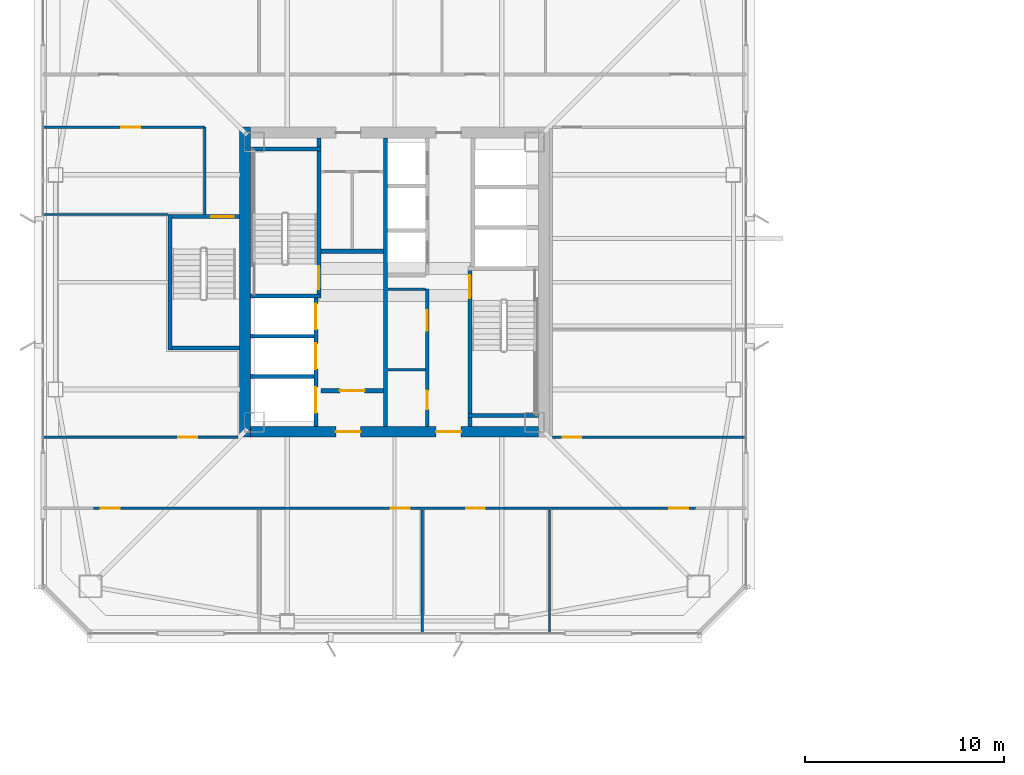
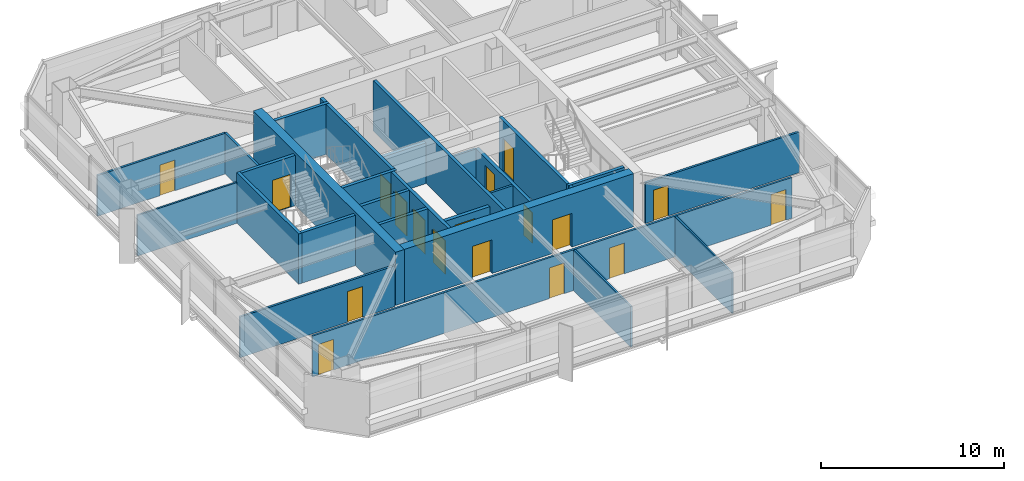
# One storey, part 36 of 46: 27 walls, 18 doors, 18 openings.
"""IFC4 building model written with IfcOpenShell, lengths in metres."""

import ifcopenshell
import ifcopenshell.guid

model = None  # the IFC model being written
_history = None  # IfcOwnerHistory: only IFC2X3 demands one
_inside = {}  # id of a spatial element -> (the spatial element, [elements in it])
_under = {}  # id of a project, library or spatial element -> (it, [spatial elements below it])
_declared = {}  # id of a project -> (the project, [libraries it declares])
_typed = {}  # id of a type object -> (the type object, [elements of that type])
_made_of = {}  # id of a material, layer set ... -> (it, [elements and type objects made of it])


def new_model(schema):
    """Start an empty IFC model of exactly this schema.

    Asked for "IFC4X3", IfcOpenShell would pick the latest addendum, in which some entities
    have other attributes; the version numbers below select the first issue.
    IFC2X3 requires an IfcOwnerHistory on every rooted entity: one is made here for all.
    """
    global model, _history
    if schema == "IFC4X3":
        model = ifcopenshell.file(schema_version=(4, 3, 0, 0))
    else:
        model = ifcopenshell.file(schema=schema)
    _inside.clear()
    _under.clear()
    _declared.clear()
    _typed.clear()
    _made_of.clear()
    _history = None
    if model.schema == "IFC2X3":
        org = make("IfcOrganization", Name="unknown")
        user = make(
            "IfcPersonAndOrganization",
            ThePerson=make("IfcPerson", FamilyName="unknown"),
            TheOrganization=org,
        )
        app = make(
            "IfcApplication",
            ApplicationDeveloper=org,
            Version="unknown",
            ApplicationFullName="unknown",
            ApplicationIdentifier="unknown",
        )
        _history = make(
            "IfcOwnerHistory",
            OwningUser=user,
            OwningApplication=app,
            ChangeAction="ADDED",
            CreationDate=0,
        )
    return model


def make(cls, **values):
    """One entity of the class cls with the attributes given. An attribute that is None is left unset."""
    return model.create_entity(
        cls, **{name: value for name, value in values.items() if value is not None}
    )


def rooted(cls, **values):
    """An entity with a GlobalId (a new one), such as an element, a storey or a relation."""
    return make(cls, GlobalId=ifcopenshell.guid.new(), OwnerHistory=_history, **values)


def si_unit(unit_type, name, prefix=None):
    """IfcSIUnit, for example si_unit("LENGTHUNIT", "METRE", prefix="MILLI")."""
    return make("IfcSIUnit", UnitType=unit_type, Prefix=prefix, Name=name)


def assignment(units):
    """IfcUnitAssignment: the units of a project."""
    return None if units is None else make("IfcUnitAssignment", Units=units)


def point(xyz):
    """IfcCartesianPoint."""
    return None if xyz is None else make("IfcCartesianPoint", Coordinates=xyz)


def direction(xyz):
    """IfcDirection."""
    return None if xyz is None else make("IfcDirection", DirectionRatios=xyz)


def frame(location, z_axis=None, x_axis=None):
    """IfcAxis2Placement3D, a coordinate frame: its origin and axes. An axis left out is left unset."""
    return make(
        "IfcAxis2Placement3D",
        Location=point(location),
        Axis=direction(z_axis),
        RefDirection=direction(x_axis),
    )


def frame_2d(location, x_axis=None):
    """IfcAxis2Placement2D, a coordinate frame in the plane: its origin and x axis."""
    return make(
        "IfcAxis2Placement2D", Location=point(location), RefDirection=direction(x_axis)
    )


def origin():
    """The frame at (0, 0, 0) with its axes left unset."""
    return frame((0.0, 0.0, 0.0))


def place(relative_to, where):
    """IfcLocalPlacement: puts the frame where relative to a parent placement (None: the world)."""
    return make(
        "IfcLocalPlacement", PlacementRelTo=relative_to, RelativePlacement=where
    )


def context(
    kind, dimensions, precision=None, world=None, true_north=None, identifier=None
):
    """IfcGeometricRepresentationContext, for example the 3D "Model" context."""
    return make(
        "IfcGeometricRepresentationContext",
        ContextIdentifier=identifier,
        ContextType=kind,
        CoordinateSpaceDimension=dimensions,
        Precision=precision,
        WorldCoordinateSystem=world,
        TrueNorth=true_north,
    )


def subcontext(parent, identifier, kind, view, scale=None):
    """IfcGeometricRepresentationSubContext, for example "Body" below "Model"."""
    return make(
        "IfcGeometricRepresentationSubContext",
        ContextIdentifier=identifier,
        ContextType=kind,
        ParentContext=parent,
        TargetScale=scale,
        TargetView=view,
    )


def project(units=None, contexts=None):
    """IfcProject with its units and contexts."""
    return rooted(
        "IfcProject",
        Name="project",
        RepresentationContexts=contexts,
        UnitsInContext=assignment(units),
    )


def spatial(cls, under=None, at=None, **own):
    """A site, building, storey or space (cls), placed at a placement, below another one or the project."""
    s = rooted(cls, ObjectPlacement=at, **own)
    if under is not None:
        _under.setdefault(under.id(), (under, []))[1].append(s)
    return s


def profile(cls, at=None, kind="AREA", **sizes):
    """A parametric profile (cls). Its sizes go by their IFC names, for example OverallWidth=200.0."""
    return make(cls, ProfileType=kind, Position=at, **sizes)


def rectangle(**sizes):
    """IfcRectangleProfileDef."""
    return profile("IfcRectangleProfileDef", **sizes)


def extrude(swept, where, along, depth):
    """IfcExtrudedAreaSolid: the profile swept, set in the frame where, extruded along a direction by depth."""
    return make(
        "IfcExtrudedAreaSolid",
        SweptArea=swept,
        Position=where,
        ExtrudedDirection=direction(along),
        Depth=depth,
    )


def shape(context_of_items, identifier, shape_type, items):
    """IfcShapeRepresentation: the items that make up one representation, for example the "Body"."""
    return make(
        "IfcShapeRepresentation",
        ContextOfItems=context_of_items,
        RepresentationIdentifier=identifier,
        RepresentationType=shape_type,
        Items=items,
    )


def material(Name=None, Category=None):
    """IfcMaterial."""
    return make("IfcMaterial", Name=Name, Category=Category)


def layer(
    of_material, thickness, ventilated=None, Name=None, Category=None, Priority=None
):
    """IfcMaterialLayer: one layer of a wall or slab, of a material (None: an air gap)."""
    return make(
        "IfcMaterialLayer",
        Material=of_material,
        LayerThickness=thickness,
        IsVentilated=ventilated,
        Name=Name,
        Category=Category,
        Priority=Priority,
    )


def layer_set(layers, Name=None):
    """IfcMaterialLayerSet."""
    return make("IfcMaterialLayerSet", MaterialLayers=layers, LayerSetName=Name)


def made_of(thing, what):
    """Note that an element or type object is made of a material, layer set ...; save() writes the relation."""
    if what is not None:
        _made_of.setdefault(what.id(), (what, []))[1].append(thing)
    return thing


def type_object(cls, material=None, **own):
    """A type object (cls), such as IfcWallType, which elements share."""
    return made_of(rooted(cls, **own), material)


def element(
    cls,
    number,
    at=None,
    inside=None,
    cuts=None,
    type_object=None,
    material=None,
    context=None,
    identifier="Body",
    shape_type=None,
    held_by="IfcProductDefinitionShape",
    body=None,
    shapes=None,
    **own,
):
    """One element of the class cls, such as IfcWall. Its Tag is "e" and its number.

    at: its placement. inside: the storey or other place that contains it. cuts: it is an
    opening in that element (IfcRelVoidsElement). A single representation is given by context,
    identifier, shape_type and body (its items); several are given by shapes. held_by: the class
    of the entity that holds the representations. save() writes the other relations.
    """
    e = rooted(cls, Tag="e%d" % number, ObjectPlacement=at, **own)
    if body is not None:
        shapes = [shape(context, identifier, shape_type, body)]
    if shapes is not None:
        e.Representation = make(held_by, Representations=shapes)
    if inside is not None:
        _inside.setdefault(inside.id(), (inside, []))[1].append(e)
    if cuts is not None:
        rooted(
            "IfcRelVoidsElement", RelatingBuildingElement=cuts, RelatedOpeningElement=e
        )
    if type_object is not None:
        _typed.setdefault(type_object.id(), (type_object, []))[1].append(e)
    return made_of(e, material)


def fill(opening, filler):
    """IfcRelFillsElement: the door or window that sits in an opening."""
    return rooted(
        "IfcRelFillsElement",
        RelatingOpeningElement=opening,
        RelatedBuildingElement=filler,
    )


def aggregate(whole, parts):
    """IfcRelAggregates: a whole, such as a stair, and the parts it consists of."""
    return rooted("IfcRelAggregates", RelatingObject=whole, RelatedObjects=parts)


def save(model, path):
    """Write the relations noted so far, then the file.

    IfcRelAggregates (storeys below a building ...), IfcRelContainedInSpatialStructure (elements
    in a storey), IfcRelDefinesByType, IfcRelAssociatesMaterial and IfcRelDeclares: one each for
    every whole, place, type object, material and project.
    """
    for whole, parts in _under.values():
        aggregate(whole, parts)
    for where, things in _inside.values():
        rooted(
            "IfcRelContainedInSpatialStructure",
            RelatedElements=things,
            RelatingStructure=where,
        )
    for kind, things in _typed.values():
        rooted("IfcRelDefinesByType", RelatedObjects=things, RelatingType=kind)
    for what, things in _made_of.values():
        rooted("IfcRelAssociatesMaterial", RelatedObjects=things, RelatingMaterial=what)
    for by, libraries in _declared.values():
        rooted("IfcRelDeclares", RelatingContext=by, RelatedDefinitions=libraries)
    model.write(path)


model = new_model("IFC4")

# Units and contexts
model_context = context("Model", 3, precision=1e-05, world=origin(), true_north=direction((0.0, 1.0)))
body_context = subcontext(model_context, "Body", "Model", "MODEL_VIEW")
ifc_project = project(units=[si_unit("LENGTHUNIT", "METRE"), si_unit("AREAUNIT", "SQUARE_METRE"), si_unit("VOLUMEUNIT", "CUBIC_METRE"), si_unit("PLANEANGLEUNIT", "RADIAN"), si_unit("MASSUNIT", "GRAM", prefix="KILO")], contexts=[model_context])

# Site, building, storey
site_placement = place(None, origin())
site = spatial("IfcSite", under=ifc_project, at=site_placement, CompositionType="ELEMENT")
building_placement = place(site_placement, origin())
building = spatial("IfcBuilding", under=site, at=building_placement, Name="Tashvorn Skyway Center", CompositionType="ELEMENT")
storey_placement = place(building_placement, frame((0.0, 0.0, 167.64990234375)))
storey = spatial("IfcBuildingStorey", under=building, at=storey_placement, Name="L45", CompositionType="ELEMENT", Elevation=167.64990234375)

# Wall
ifc_material_1 = material(Name="Concrete C60/75", Category="concrete")
ifc_layer_1 = layer(ifc_material_1, 0.550048828125)
ifc_layer_set_1 = layer_set([ifc_layer_1], Name="Concrete C60/75")
wall_type_1 = type_object("IfcWallType", Name="WALL-CORE-550", PredefinedType="SHEAR", material=ifc_layer_set_1)
wall_1_placement = place(storey_placement, frame((34.47509765625, 24.199951171875, 0.0), z_axis=(0.0, 0.0, 1.0), x_axis=(0.0, 1.0, 0.0)))
element("IfcWall", 1, at=wall_1_placement, inside=storey, type_object=wall_type_1, Name="Tower 1 L45 West Core Shear Wall", PredefinedType="SHEAR", context=body_context, shape_type="SweptSolid", body=[
    extrude(rectangle(XDim=15.60009765625, YDim=0.550048828125, at=frame_2d((7.800048828125, 0.0))), origin(), (0.0, 0.0, 1.0), 3.550048828125),
])

# Wall, openings, doors
wall_2_placement = place(storey_placement, frame((49.25, 24.47509765625, 0.0), z_axis=(0.0, 0.0, 1.0), x_axis=(-1.0, 0.0, 0.0)))
wall_2 = element("IfcWall", 2, at=wall_2_placement, inside=storey, type_object=wall_type_1, Name="Tower 1 L45 South Core Shear Wall", PredefinedType="SHEAR", context=body_context, shape_type="SweptSolid", body=[
    extrude(rectangle(XDim=14.5, YDim=0.550048828125, at=frame_2d((7.25, 0.0))), origin(), (0.0, 0.0, 1.0), 3.550048828125),
])
opening_1_placement = place(wall_2_placement, frame((8.949951171875, 0.0, 0.0)))
opening_1 = element("IfcOpeningElement", 3, at=opening_1_placement, cuts=wall_2, Name="Opening D-FFL-1250", PredefinedType="OPENING", context=body_context, shape_type="SweptSolid", body=[
    extrude(rectangle(XDim=1.25, YDim=2.25, at=frame_2d((0.625, 1.125))), frame((0.0, 0.284912109375, 0.0), z_axis=(0.0, -1.0, 0.0), x_axis=(1.0, 0.0, 0.0)), (0.0, 0.0, 1.0), 0.570068359375),
])
opening_2_placement = place(wall_2_placement, frame((3.89990234375, 0.0, 0.0)))
opening_2 = element("IfcOpeningElement", 4, at=opening_2_placement, cuts=wall_2, Name="Opening D-FFL-1250", PredefinedType="OPENING", context=body_context, shape_type="SweptSolid", body=[
    extrude(rectangle(XDim=1.25, YDim=2.25, at=frame_2d((0.625, 1.125))), frame((0.0, 0.284912109375, 0.0), z_axis=(0.0, -1.0, 0.0), x_axis=(1.0, 0.0, 0.0)), (0.0, 0.0, 1.0), 0.570068359375),
])
ifc_material_2 = material(Name="Hollow galvanized steel fire door assembly", Category="steel")
door_type_1 = type_object("IfcDoorType", Name="DOOR-FFL-1250", OperationType="NOTDEFINED", PredefinedType="DOOR", material=ifc_material_2)
door_1_placement = place(opening_1_placement, origin())
door_1 = element("IfcDoor", 5, at=door_1_placement, inside=storey, type_object=door_type_1, Name="Tower 1 L45 Core South Firefighting Exit Door", OperationType="SINGLE_SWING_LEFT", OverallHeight=2.25, OverallWidth=1.25, PredefinedType="DOOR", context=body_context, shape_type="SweptSolid", body=[
    extrude(rectangle(XDim=1.25, YDim=2.25, at=frame_2d((0.625, 1.125))), frame((0.0, 0.02490234375, 0.0), z_axis=(0.0, -1.0, 0.0), x_axis=(1.0, 0.0, 0.0)), (0.0, 0.0, 1.0), 0.050048828125),
])
fill(opening_1, door_1)
door_2_placement = place(opening_2_placement, origin())
door_2 = element("IfcDoor", 6, at=door_2_placement, inside=storey, type_object=door_type_1, Name="Tower 1 L45 Core South Lift Lobby Door", OperationType="SINGLE_SWING_RIGHT", OverallHeight=2.25, OverallWidth=1.25, PredefinedType="DOOR", context=body_context, shape_type="SweptSolid", body=[
    extrude(rectangle(XDim=1.25, YDim=2.25, at=frame_2d((0.625, 1.125))), frame((0.0, 0.02490234375, 0.0), z_axis=(0.0, -1.0, 0.0), x_axis=(1.0, 0.0, 0.0)), (0.0, 0.0, 1.0), 0.050048828125),
])
fill(opening_2, door_2)

# Wall
ifc_material_3 = material(Name="Concrete C40/50", Category="concrete")
ifc_layer_2 = layer(ifc_material_3, 0.219970703125)
ifc_layer_set_2 = layer_set([ifc_layer_2], Name="Concrete C40/50")
wall_type_2 = type_object("IfcWallType", Name="WALL-FFL-220", PredefinedType="SOLIDWALL", material=ifc_layer_set_2)
wall_3_placement = place(storey_placement, frame((38.300048828125, 33.56005859375, 0.0), z_axis=(0.0, 0.0, 1.0), x_axis=(1.0, 0.0, 0.0)))
element("IfcWall", 7, at=wall_3_placement, inside=storey, type_object=wall_type_2, Name="Tower 1 L45 Firefighting Lobby North Wall", PredefinedType="SOLIDWALL", context=body_context, shape_type="SweptSolid", body=[
    extrude(rectangle(XDim=3.14990234375, YDim=0.219970703125, at=frame_2d((1.574951171875, 0.0))), origin(), (0.0, 0.0, 1.0), 2.72314453125),
])

# Wall, opening, door
wall_4_placement = place(storey_placement, frame((38.300048828125, 26.5400390625, 0.0), z_axis=(0.0, 0.0, 1.0), x_axis=(1.0, 0.0, 0.0)))
wall_4 = element("IfcWall", 8, at=wall_4_placement, inside=storey, type_object=wall_type_2, Name="Tower 1 L45 Firefighting Lobby South Wall", PredefinedType="SOLIDWALL", context=body_context, shape_type="SweptSolid", body=[
    extrude(rectangle(XDim=3.14990234375, YDim=0.219970703125, at=frame_2d((1.574951171875, 0.0))), origin(), (0.0, 0.0, 1.0), 2.72314453125),
])
opening_3_placement = place(wall_4_placement, frame((0.949951171875, 0.0, 0.0)))
opening_3 = element("IfcOpeningElement", 9, at=opening_3_placement, cuts=wall_4, Name="Opening D-FFL-1250", PredefinedType="OPENING", context=body_context, shape_type="SweptSolid", body=[
    extrude(rectangle(XDim=1.25, YDim=2.25, at=frame_2d((0.625, 1.125))), frame((0.0, 0.119873046875, 0.0), z_axis=(0.0, -1.0, 0.0), x_axis=(1.0, 0.0, 0.0)), (0.0, 0.0, 1.0), 0.239990234375),
])
door_3_placement = place(opening_3_placement, origin())
door_3 = element("IfcDoor", 10, at=door_3_placement, inside=storey, type_object=door_type_1, Name="Tower 1 L45 Firefighting Lobby Egress Door", OperationType="SINGLE_SWING_LEFT", OverallHeight=2.25, OverallWidth=1.25, PredefinedType="DOOR", context=body_context, shape_type="SweptSolid", body=[
    extrude(rectangle(XDim=1.25, YDim=2.25, at=frame_2d((0.625, 1.125))), frame((0.0, 0.02490234375, 0.0), z_axis=(0.0, -1.0, 0.0), x_axis=(1.0, 0.0, 0.0)), (0.0, 0.0, 1.0), 0.050048828125),
])
fill(opening_3, door_3)

# Walls
ifc_material_4 = material(Name="Gypsum board on cold-formed steel stud framing", Category="steel")
ifc_layer_3 = layer(ifc_material_4, 0.110107421875)
ifc_layer_set_3 = layer_set([ifc_layer_3], Name="Gypsum board on cold-formed steel stud framing")
wall_type_3 = type_object("IfcWallType", Name="WALL-PART-110", PredefinedType="PARTITIONING", material=ifc_layer_set_3)
for number, where, z_axis, x_axis, name in (
    (11, (43.39990234375, 14.320068359375, 0.0), (0.0, 0.0, 1.0), (0.0, 1.0, 0.0), "Tower 1 L45 South Suite Partition 2"),
    (12, (49.800048828125, 14.320068359375, 0.0), (0.0, 0.0, 1.0), (0.0, 1.0, 0.0), "Tower 1 L45 South Suite Partition 3"),
):
    element("IfcWall", number, at=place(storey_placement, frame(where, z_axis=z_axis, x_axis=x_axis)), inside=storey, type_object=wall_type_3, Name=name, PredefinedType="PARTITIONING", context=body_context, shape_type="SweptSolid", body=[
        extrude(rectangle(XDim=6.22998046875, YDim=0.110107421875, at=frame_2d((3.114990234375, 0.0))), origin(), (0.0, 0.0, 1.0), 2.72314453125),
    ])
wall_5_placement = place(storey_placement, frame((30.60009765625, 35.39990234375, 0.0), z_axis=(0.0, 0.0, 1.0), x_axis=(-1.0, 0.0, 0.0)))
element("IfcWall", 13, at=wall_5_placement, inside=storey, type_object=wall_type_3, Name="Tower 1 L45 West Suite Partition 1", PredefinedType="PARTITIONING", context=body_context, shape_type="SweptSolid", body=[
    extrude(rectangle(XDim=6.280029296875, YDim=0.110107421875, at=frame_2d((3.14013671875, 0.0))), origin(), (0.0, 0.0, 1.0), 2.72314453125),
])
ifc_layer_4 = layer(ifc_material_4, 0.135009765625)
ifc_layer_set_4 = layer_set([ifc_layer_4], Name="Gypsum board on cold-formed steel stud framing")
wall_type_4 = type_object("IfcWallType", Name="WALL-PART-135", PredefinedType="PARTITIONING", material=ifc_layer_set_4)
wall_6_placement = place(storey_placement, frame((32.449951171875, 35.39990234375, 0.0), z_axis=(0.0, 0.0, 1.0), x_axis=(0.0, 1.0, 0.0)))
element("IfcWall", 14, at=wall_6_placement, inside=storey, type_object=wall_type_4, Name="Tower 1 L45 Stair 3 Access Corridor Wall", PredefinedType="PARTITIONING", context=body_context, shape_type="SweptSolid", body=[
    extrude(rectangle(XDim=4.400146484375, YDim=0.135009765625, at=frame_2d((2.2001953125, 0.0))), origin(), (0.0, 0.0, 1.0), 2.72314453125),
])

# Wall, openings, doors
wall_7_placement = place(storey_placement, frame((57.14990234375, 20.6298828125, 0.0), z_axis=(0.0, 0.0, 1.0), x_axis=(-1.0, 0.0, 0.0)))
wall_7 = element("IfcWall", 15, at=wall_7_placement, inside=storey, type_object=wall_type_4, Name="Tower 1 L45 South Suite Wall", PredefinedType="PARTITIONING", context=body_context, shape_type="SweptSolid", body=[
    extrude(rectangle(XDim=30.2998046875, YDim=0.135009765625, at=frame_2d((15.14990234375, 0.0))), origin(), (0.0, 0.0, 1.0), 2.72314453125),
])
opening_4_placement = place(wall_7_placement, frame((28.969970703125, 0.0, 0.0)))
opening_4 = element("IfcOpeningElement", 16, at=opening_4_placement, cuts=wall_7, Name="Opening D-INT-950", PredefinedType="OPENING", context=body_context, shape_type="SweptSolid", body=[
    extrude(rectangle(XDim=0.949951171875, YDim=2.050048828125, at=frame_2d((0.47509765625, 1.02490234375))), frame((0.0, 0.077392578125, 0.0), z_axis=(0.0, -1.0, 0.0), x_axis=(1.0, 0.0, 0.0)), (0.0, 0.0, 1.0), 0.155029296875),
])
opening_5_placement = place(wall_7_placement, frame((14.3896484375, 0.0, 0.0)))
opening_5 = element("IfcOpeningElement", 17, at=opening_5_placement, cuts=wall_7, Name="Opening D-INT-950", PredefinedType="OPENING", context=body_context, shape_type="SweptSolid", body=[
    extrude(rectangle(XDim=0.949951171875, YDim=2.050048828125, at=frame_2d((0.47509765625, 1.02490234375))), frame((0.0, 0.077392578125, 0.0), z_axis=(0.0, -1.0, 0.0), x_axis=(1.0, 0.0, 0.0)), (0.0, 0.0, 1.0), 0.155029296875),
])
opening_6_placement = place(wall_7_placement, frame((10.59619140625, 0.0, 0.0)))
opening_6 = element("IfcOpeningElement", 18, at=opening_6_placement, cuts=wall_7, Name="Opening D-INT-950", PredefinedType="OPENING", context=body_context, shape_type="SweptSolid", body=[
    extrude(rectangle(XDim=0.949951171875, YDim=2.050048828125, at=frame_2d((0.47509765625, 1.02490234375))), frame((0.0, 0.077392578125, 0.0), z_axis=(0.0, -1.0, 0.0), x_axis=(1.0, 0.0, 0.0)), (0.0, 0.0, 1.0), 0.155029296875),
])
opening_7_placement = place(wall_7_placement, frame((0.3798828125, 0.0, 0.0)))
opening_7 = element("IfcOpeningElement", 19, at=opening_7_placement, cuts=wall_7, Name="Opening D-INT-950", PredefinedType="OPENING", context=body_context, shape_type="SweptSolid", body=[
    extrude(rectangle(XDim=0.949951171875, YDim=2.050048828125, at=frame_2d((0.47509765625, 1.02490234375))), frame((0.0, 0.077392578125, 0.0), z_axis=(0.0, -1.0, 0.0), x_axis=(1.0, 0.0, 0.0)), (0.0, 0.0, 1.0), 0.155029296875),
])
ifc_material_5 = material(Name="Solid-core architectural oak veneer door")
door_type_2 = type_object("IfcDoorType", Name="DOOR-INT-950", OperationType="NOTDEFINED", PredefinedType="DOOR", material=ifc_material_5)
door_4_placement = place(opening_4_placement, origin())
door_4 = element("IfcDoor", 20, at=door_4_placement, inside=storey, type_object=door_type_2, Name="Tower 1 L45 Gallery Showroom Door", OperationType="SINGLE_SWING_RIGHT", OverallHeight=2.050048828125, OverallWidth=0.949951171875, PredefinedType="DOOR", context=body_context, shape_type="SweptSolid", body=[
    extrude(rectangle(XDim=0.949951171875, YDim=2.050048828125, at=frame_2d((0.47509765625, 1.02490234375))), frame((0.0, 0.02490234375, 0.0), z_axis=(0.0, -1.0, 0.0), x_axis=(1.0, 0.0, 0.0)), (0.0, 0.0, 1.0), 0.050048828125),
])
fill(opening_4, door_4)
door_5_placement = place(opening_5_placement, origin())
door_5 = element("IfcDoor", 21, at=door_5_placement, inside=storey, type_object=door_type_2, Name="Tower 1 L45 Reading Lounge Door", OperationType="SINGLE_SWING_LEFT", OverallHeight=2.050048828125, OverallWidth=0.949951171875, PredefinedType="DOOR", context=body_context, shape_type="SweptSolid", body=[
    extrude(rectangle(XDim=0.949951171875, YDim=2.050048828125, at=frame_2d((0.47509765625, 1.02490234375))), frame((0.0, 0.02490234375, 0.0), z_axis=(0.0, -1.0, 0.0), x_axis=(1.0, 0.0, 0.0)), (0.0, 0.0, 1.0), 0.050048828125),
])
fill(opening_5, door_5)
door_6_placement = place(opening_6_placement, origin())
door_6 = element("IfcDoor", 22, at=door_6_placement, inside=storey, type_object=door_type_2, Name="Tower 1 L45 Reading Lounge Door", OperationType="SINGLE_SWING_RIGHT", OverallHeight=2.050048828125, OverallWidth=0.949951171875, PredefinedType="DOOR", context=body_context, shape_type="SweptSolid", body=[
    extrude(rectangle(XDim=0.949951171875, YDim=2.050048828125, at=frame_2d((0.47509765625, 1.02490234375))), frame((0.0, 0.02490234375, 0.0), z_axis=(0.0, -1.0, 0.0), x_axis=(1.0, 0.0, 0.0)), (0.0, 0.0, 1.0), 0.050048828125),
])
fill(opening_6, door_6)
door_7_placement = place(opening_7_placement, origin())
door_7 = element("IfcDoor", 23, at=door_7_placement, inside=storey, type_object=door_type_2, Name="Tower 1 L45 Collaborative Studio Door", OperationType="SINGLE_SWING_LEFT", OverallHeight=2.050048828125, OverallWidth=0.949951171875, PredefinedType="DOOR", context=body_context, shape_type="SweptSolid", body=[
    extrude(rectangle(XDim=0.949951171875, YDim=2.050048828125, at=frame_2d((0.47509765625, 1.02490234375))), frame((0.0, 0.02490234375, 0.0), z_axis=(0.0, -1.0, 0.0), x_axis=(1.0, 0.0, 0.0)), (0.0, 0.0, 1.0), 0.050048828125),
])
fill(opening_7, door_7)

# Wall, opening, door
wall_8_placement = place(storey_placement, frame((49.9599609375, 24.199951171875, 0.0), z_axis=(0.0, 0.0, 1.0), x_axis=(1.0, 0.0, 0.0)))
wall_8 = element("IfcWall", 24, at=wall_8_placement, inside=storey, type_object=wall_type_4, Name="Tower 1 L45 East Suite South Wall", PredefinedType="PARTITIONING", context=body_context, shape_type="SweptSolid", body=[
    extrude(rectangle(XDim=9.719970703125, YDim=0.135009765625, at=frame_2d((4.85986328125, 0.0))), origin(), (0.0, 0.0, 1.0), 2.72314453125),
])
opening_8_placement = place(wall_8_placement, frame((0.5, 0.0, 0.0)))
opening_8 = element("IfcOpeningElement", 25, at=opening_8_placement, cuts=wall_8, Name="Opening D-INT-950", PredefinedType="OPENING", context=body_context, shape_type="SweptSolid", body=[
    extrude(rectangle(XDim=0.949951171875, YDim=2.050048828125, at=frame_2d((0.47509765625, 1.02490234375))), frame((0.0, 0.077392578125, 0.0), z_axis=(0.0, -1.0, 0.0), x_axis=(1.0, 0.0, 0.0)), (0.0, 0.0, 1.0), 0.155029296875),
])
door_8_placement = place(opening_8_placement, origin())
door_8 = element("IfcDoor", 26, at=door_8_placement, inside=storey, type_object=door_type_2, Name="Tower 1 L45 Public Restroom Door", OperationType="SINGLE_SWING_LEFT", OverallHeight=2.050048828125, OverallWidth=0.949951171875, PredefinedType="DOOR", context=body_context, shape_type="SweptSolid", body=[
    extrude(rectangle(XDim=0.949951171875, YDim=2.050048828125, at=frame_2d((0.47509765625, 1.02490234375))), frame((0.0, 0.02490234375, 0.0), z_axis=(0.0, -1.0, 0.0), x_axis=(1.0, 0.0, 0.0)), (0.0, 0.0, 1.0), 0.050048828125),
])
fill(opening_8, door_8)

wall_9_placement = place(storey_placement, frame((32.449951171875, 39.800048828125, 0.0), z_axis=(0.0, 0.0, 1.0), x_axis=(-1.0, 0.0, 0.0)))
wall_9 = element("IfcWall", 27, at=wall_9_placement, inside=storey, type_object=wall_type_4, Name="Tower 1 L45 West Suite North Wall", PredefinedType="PARTITIONING", context=body_context, shape_type="SweptSolid", body=[
    extrude(rectangle(XDim=8.1298828125, YDim=0.135009765625, at=frame_2d((4.06494140625, 0.0))), origin(), (0.0, 0.0, 1.0), 2.72314453125),
])
opening_9_placement = place(wall_9_placement, frame((3.239990234375, 0.0, 0.0)))
opening_9 = element("IfcOpeningElement", 28, at=opening_9_placement, cuts=wall_9, Name="Opening D-INT-950", PredefinedType="OPENING", context=body_context, shape_type="SweptSolid", body=[
    extrude(rectangle(XDim=0.949951171875, YDim=2.050048828125, at=frame_2d((0.47509765625, 1.02490234375))), frame((0.0, 0.077392578125, 0.0), z_axis=(0.0, -1.0, 0.0), x_axis=(1.0, 0.0, 0.0)), (0.0, 0.0, 1.0), 0.155029296875),
])
door_9_placement = place(opening_9_placement, origin())
door_9 = element("IfcDoor", 29, at=door_9_placement, inside=storey, type_object=door_type_2, Name="Tower 1 L45 Collaborative Studio Door", OperationType="SINGLE_SWING_RIGHT", OverallHeight=2.050048828125, OverallWidth=0.949951171875, PredefinedType="DOOR", context=body_context, shape_type="SweptSolid", body=[
    extrude(rectangle(XDim=0.949951171875, YDim=2.050048828125, at=frame_2d((0.47509765625, 1.02490234375))), frame((0.0, 0.02490234375, 0.0), z_axis=(0.0, -1.0, 0.0), x_axis=(1.0, 0.0, 0.0)), (0.0, 0.0, 1.0), 0.050048828125),
])
fill(opening_9, door_9)

wall_10_placement = place(storey_placement, frame((24.320068359375, 24.199951171875, 0.0), z_axis=(0.0, 0.0, 1.0), x_axis=(1.0, 0.0, 0.0)))
wall_10 = element("IfcWall", 30, at=wall_10_placement, inside=storey, type_object=wall_type_4, Name="Tower 1 L45 West Suite South Wall", PredefinedType="PARTITIONING", context=body_context, shape_type="SweptSolid", body=[
    extrude(rectangle(XDim=9.800048828125, YDim=0.135009765625, at=frame_2d((4.89990234375, 0.0))), origin(), (0.0, 0.0, 1.0), 2.72314453125),
])
opening_10_placement = place(wall_10_placement, frame((6.804931640625, 0.0, 0.0)))
opening_10 = element("IfcOpeningElement", 31, at=opening_10_placement, cuts=wall_10, Name="Opening D-INT-950", PredefinedType="OPENING", context=body_context, shape_type="SweptSolid", body=[
    extrude(rectangle(XDim=0.949951171875, YDim=2.050048828125, at=frame_2d((0.47509765625, 1.02490234375))), frame((0.0, 0.077392578125, 0.0), z_axis=(0.0, -1.0, 0.0), x_axis=(1.0, 0.0, 0.0)), (0.0, 0.0, 1.0), 0.155029296875),
])
door_10_placement = place(opening_10_placement, origin())
door_10 = element("IfcDoor", 32, at=door_10_placement, inside=storey, type_object=door_type_2, Name="Tower 1 L45 Public Restroom Door", OperationType="SINGLE_SWING_LEFT", OverallHeight=2.050048828125, OverallWidth=0.949951171875, PredefinedType="DOOR", context=body_context, shape_type="SweptSolid", body=[
    extrude(rectangle(XDim=0.949951171875, YDim=2.050048828125, at=frame_2d((0.47509765625, 1.02490234375))), frame((0.0, 0.02490234375, 0.0), z_axis=(0.0, -1.0, 0.0), x_axis=(1.0, 0.0, 0.0)), (0.0, 0.0, 1.0), 0.050048828125),
])
fill(opening_10, door_10)

# Walls
ifc_layer_5 = layer(ifc_material_4, 0.135009765625)
ifc_layer_set_5 = layer_set([ifc_layer_5], Name="Gypsum board on cold-formed steel stud framing")
wall_type_5 = type_object("IfcWallType", Name="WALL-RATED-135", PredefinedType="PARTITIONING", material=ifc_layer_set_5)
for number, where, z_axis, x_axis, name in (
    (33, (41.669921875, 31.64990234375, 0.0), (0.0, 0.0, 1.0), (1.0, 0.0, 0.0), "Tower 1 L45 Core Room Partition"),
    (34, (41.669921875, 27.60009765625, 0.0), (0.0, 0.0, 1.0), (1.0, 0.0, 0.0), "Tower 1 L45 Freed Core Partition"),
):
    element("IfcWall", number, at=place(storey_placement, frame(where, z_axis=z_axis, x_axis=x_axis)), inside=storey, type_object=wall_type_5, Name=name, PredefinedType="PARTITIONING", context=body_context, shape_type="SweptSolid", body=[
        extrude(rectangle(XDim=1.880126953125, YDim=0.135009765625, at=frame_2d((0.93994140625, 0.0))), origin(), (0.0, 0.0, 1.0), 2.72314453125),
    ])
ifc_layer_6 = layer(ifc_material_3, 0.199951171875)
ifc_layer_set_6 = layer_set([ifc_layer_6], Name="Concrete C40/50")
wall_type_6 = type_object("IfcWallType", Name="WALL-SHAFT-200", PredefinedType="SOLIDWALL", material=ifc_layer_set_6)
for number, where, z_axis, x_axis, name in (
    (35, (34.75, 27.25, 0.0), (0.0, 0.0, 1.0), (1.0, 0.0, 0.0), "Tower 1 L45 FSAE Shaft Divider"),
    (36, (34.75, 29.280029296875, 0.0), (0.0, 0.0, 1.0), (1.0, 0.0, 0.0), "Tower 1 L45 FSAE Shaft Divider"),
):
    element("IfcWall", number, at=place(storey_placement, frame(where, z_axis=z_axis, x_axis=x_axis)), inside=storey, type_object=wall_type_6, Name=name, PredefinedType="SOLIDWALL", context=body_context, shape_type="SweptSolid", body=[
        extrude(rectangle(XDim=3.199951171875, YDim=0.199951171875, at=frame_2d((1.60009765625, 0.0))), origin(), (0.0, 0.0, 1.0), 3.3701171875),
    ])

# Wall, openings, doors
wall_11_placement = place(storey_placement, frame((43.64990234375, 24.75, 0.0), z_axis=(0.0, 0.0, 1.0), x_axis=(0.0, 1.0, 0.0)))
wall_11 = element("IfcWall", 37, at=wall_11_placement, inside=storey, type_object=wall_type_6, Name="Tower 1 L45 Low-Rise Core Wall", PredefinedType="SOLIDWALL", context=body_context, shape_type="SweptSolid", body=[
    extrude(rectangle(XDim=6.89990234375, YDim=0.199951171875, at=frame_2d((3.449951171875, 0.0))), origin(), (0.0, 0.0, 1.0), 2.72314453125),
])
opening_11_placement = place(wall_11_placement, frame((0.85009765625, 0.0, 0.0)))
opening_11 = element("IfcOpeningElement", 38, at=opening_11_placement, cuts=wall_11, Name="Opening D-RT-950", PredefinedType="OPENING", context=body_context, shape_type="SweptSolid", body=[
    extrude(rectangle(XDim=0.949951171875, YDim=2.050048828125, at=frame_2d((0.47509765625, 1.02490234375))), frame((0.0, 0.10986328125, 0.0), z_axis=(0.0, -1.0, 0.0), x_axis=(1.0, 0.0, 0.0)), (0.0, 0.0, 1.0), 0.219970703125),
])
opening_12_placement = place(wall_11_placement, frame((4.800048828125, 0.0, 0.0)))
opening_12 = element("IfcOpeningElement", 39, at=opening_12_placement, cuts=wall_11, Name="Opening D-RT-1050", PredefinedType="OPENING", context=body_context, shape_type="SweptSolid", body=[
    extrude(rectangle(XDim=1.050048828125, YDim=2.199951171875, at=frame_2d((0.52490234375, 1.10009765625))), frame((0.0, 0.10986328125, 0.0), z_axis=(0.0, -1.0, 0.0), x_axis=(1.0, 0.0, 0.0)), (0.0, 0.0, 1.0), 0.219970703125),
])
door_type_3 = type_object("IfcDoorType", Name="DOOR-RATED-1050", OperationType="NOTDEFINED", PredefinedType="DOOR", material=ifc_material_2)
door_11_placement = place(opening_12_placement, origin())
door_11 = element("IfcDoor", 40, at=door_11_placement, inside=storey, type_object=door_type_3, Name="Tower 1 L45 Freed Core Room Door", OperationType="SINGLE_SWING_RIGHT", OverallHeight=2.199951171875, OverallWidth=1.050048828125, PredefinedType="DOOR", context=body_context, shape_type="SweptSolid", body=[
    extrude(rectangle(XDim=1.050048828125, YDim=2.199951171875, at=frame_2d((0.52490234375, 1.10009765625))), frame((0.0, 0.02490234375, 0.0), z_axis=(0.0, -1.0, 0.0), x_axis=(1.0, 0.0, 0.0)), (0.0, 0.0, 1.0), 0.050048828125),
])
fill(opening_12, door_11)
door_type_4 = type_object("IfcDoorType", Name="DOOR-RATED-950", OperationType="NOTDEFINED", PredefinedType="DOOR", material=ifc_material_2)
door_12_placement = place(opening_11_placement, origin())
door_12 = element("IfcDoor", 41, at=door_12_placement, inside=storey, type_object=door_type_4, Name="Tower 1 L45 Core Print Room Door", OperationType="SINGLE_SWING_LEFT", OverallHeight=2.050048828125, OverallWidth=0.949951171875, PredefinedType="DOOR", context=body_context, shape_type="SweptSolid", body=[
    extrude(rectangle(XDim=0.949951171875, YDim=2.050048828125, at=frame_2d((0.47509765625, 1.02490234375))), frame((0.0, 0.02490234375, 0.0), z_axis=(0.0, -1.0, 0.0), x_axis=(1.0, 0.0, 0.0)), (0.0, 0.0, 1.0), 0.050048828125),
])
fill(opening_11, door_12)

# Wall, opening, door
ifc_layer_7 = layer(ifc_material_3, 0.199951171875)
ifc_layer_set_7 = layer_set([ifc_layer_7], Name="Concrete C40/50")
wall_type_7 = type_object("IfcWallType", Name="WALL-STSHF-200", PredefinedType="SHEAR", material=ifc_layer_set_7)
wall_12_placement = place(storey_placement, frame((38.199951171875, 31.199951171875, 0.0), z_axis=(0.0, 0.0, 1.0), x_axis=(0.0, 1.0, 0.0)))
wall_12 = element("IfcWall", 42, at=wall_12_placement, inside=storey, type_object=wall_type_7, Name="Tower 1 L45 Stair 1 Enclosure Wall", PredefinedType="SHEAR", context=body_context, shape_type="SweptSolid", body=[
    extrude(rectangle(XDim=8.050048828125, YDim=0.199951171875, at=frame_2d((4.02490234375, 0.0))), origin(), (0.0, 0.0, 1.0), 3.3701171875),
])
opening_13_placement = place(wall_12_placement, frame((0.449951171875, 0.0, 0.0)))
opening_13 = element("IfcOpeningElement", 43, at=opening_13_placement, cuts=wall_12, Name="Opening D-ST-1150", PredefinedType="OPENING", context=body_context, shape_type="SweptSolid", body=[
    extrude(rectangle(XDim=1.14990234375, YDim=2.199951171875, at=frame_2d((0.574951171875, 1.10009765625))), frame((0.0, 0.10986328125, 0.0), z_axis=(0.0, -1.0, 0.0), x_axis=(1.0, 0.0, 0.0)), (0.0, 0.0, 1.0), 0.219970703125),
])
door_type_5 = type_object("IfcDoorType", Name="DOOR-STAIR-1150", OperationType="NOTDEFINED", PredefinedType="DOOR", material=ifc_material_2)
door_13_placement = place(opening_13_placement, origin())
door_13 = element("IfcDoor", 44, at=door_13_placement, inside=storey, type_object=door_type_5, Name="Tower 1 L45 Exit Stair 1 Door", OperationType="SINGLE_SWING_RIGHT", OverallHeight=2.199951171875, OverallWidth=1.14990234375, PredefinedType="DOOR", context=body_context, shape_type="SweptSolid", body=[
    extrude(rectangle(XDim=1.14990234375, YDim=2.199951171875, at=frame_2d((0.574951171875, 1.10009765625))), frame((0.0, 0.02490234375, 0.0), z_axis=(0.0, -1.0, 0.0), x_axis=(1.0, 0.0, 0.0)), (0.0, 0.0, 1.0), 0.050048828125),
])
fill(opening_13, door_13)

# Walls
for number, where, z_axis, x_axis, name in (
    (45, (34.75, 31.300048828125, 0.0), (0.0, 0.0, 1.0), (1.0, 0.0, 0.0), "Tower 1 L45 Stair 1 South Wall"),
    (46, (34.75, 38.699951171875, 0.0), (0.0, 0.0, 1.0), (1.0, 0.0, 0.0), "Tower 1 L45 Stair 1 North Wall"),
):
    element("IfcWall", number, at=place(storey_placement, frame(where, z_axis=z_axis, x_axis=x_axis)), inside=storey, type_object=wall_type_7, Name=name, PredefinedType="SHEAR", context=body_context, shape_type="SweptSolid", body=[
        extrude(rectangle(XDim=3.550048828125, YDim=0.199951171875, at=frame_2d((1.77490234375, 0.0))), origin(), (0.0, 0.0, 1.0), 3.3701171875),
    ])

# Wall, opening, door
wall_13_placement = place(storey_placement, frame((45.800048828125, 32.800048828125, 0.0), z_axis=(0.0, 0.0, 1.0), x_axis=(0.0, -1.0, 0.0)))
wall_13 = element("IfcWall", 47, at=wall_13_placement, inside=storey, type_object=wall_type_7, Name="Tower 1 L45 Stair 2 Enclosure Wall", PredefinedType="SHEAR", context=body_context, shape_type="SweptSolid", body=[
    extrude(rectangle(XDim=8.050048828125, YDim=0.199951171875, at=frame_2d((4.02490234375, 0.0))), origin(), (0.0, 0.0, 1.0), 3.3701171875),
])
opening_14_placement = place(wall_13_placement, frame((0.449951171875, 0.0, 0.0)))
opening_14 = element("IfcOpeningElement", 48, at=opening_14_placement, cuts=wall_13, Name="Opening D-ST-1150", PredefinedType="OPENING", context=body_context, shape_type="SweptSolid", body=[
    extrude(rectangle(XDim=1.14990234375, YDim=2.199951171875, at=frame_2d((0.574951171875, 1.10009765625))), frame((0.0, 0.10986328125, 0.0), z_axis=(0.0, -1.0, 0.0), x_axis=(1.0, 0.0, 0.0)), (0.0, 0.0, 1.0), 0.219970703125),
])
door_14_placement = place(opening_14_placement, origin())
door_14 = element("IfcDoor", 49, at=door_14_placement, inside=storey, type_object=door_type_5, Name="Tower 1 L45 Exit Stair 2 Door", OperationType="SINGLE_SWING_RIGHT", OverallHeight=2.199951171875, OverallWidth=1.14990234375, PredefinedType="DOOR", context=body_context, shape_type="SweptSolid", body=[
    extrude(rectangle(XDim=1.14990234375, YDim=2.199951171875, at=frame_2d((0.574951171875, 1.10009765625))), frame((0.0, 0.02490234375, 0.0), z_axis=(0.0, -1.0, 0.0), x_axis=(1.0, 0.0, 0.0)), (0.0, 0.0, 1.0), 0.050048828125),
])
fill(opening_14, door_14)

# Walls
wall_14_placement = place(storey_placement, frame((45.699951171875, 25.300048828125, 0.0), z_axis=(0.0, 0.0, 1.0), x_axis=(1.0, 0.0, 0.0)))
element("IfcWall", 50, at=wall_14_placement, inside=storey, type_object=wall_type_7, Name="Tower 1 L45 Stair 2 South Wall", PredefinedType="SHEAR", context=body_context, shape_type="SweptSolid", body=[
    extrude(rectangle(XDim=3.550048828125, YDim=0.199951171875, at=frame_2d((1.77490234375, 0.0))), origin(), (0.0, 0.0, 1.0), 3.3701171875),
])
wall_15_placement = place(storey_placement, frame((41.56005859375, 24.75, 0.0), z_axis=(0.0, 0.0, 1.0), x_axis=(0.0, 1.0, 0.0)))
element("IfcWall", 51, at=wall_15_placement, inside=storey, type_object=wall_type_7, Name="Tower 1 L45 Firefighting Lobby East Smoke Barrier", PredefinedType="SHEAR", context=body_context, shape_type="SweptSolid", body=[
    extrude(rectangle(XDim=14.5, YDim=0.199951171875, at=frame_2d((7.25, 0.0))), origin(), (0.0, 0.0, 1.0), 3.3701171875),
])

# Wall, openings, doors
wall_16_placement = place(storey_placement, frame((38.050048828125, 24.75, 0.0), z_axis=(0.0, 0.0, 1.0), x_axis=(0.0, 1.0, 0.0)))
wall_16 = element("IfcWall", 52, at=wall_16_placement, inside=storey, type_object=wall_type_7, Name="Tower 1 L45 FSAE and Goods Shaft Front Wall", PredefinedType="SHEAR", context=body_context, shape_type="SweptSolid", body=[
    extrude(rectangle(XDim=6.449951171875, YDim=0.199951171875, at=frame_2d((3.22509765625, 0.0))), origin(), (0.0, 0.0, 1.0), 3.3701171875),
])
opening_15_placement = place(wall_16_placement, frame((4.875, 0.0, 0.0)))
opening_15 = element("IfcOpeningElement", 53, at=opening_15_placement, cuts=wall_16, Name="Opening LD-FF-T1-1-L45", PredefinedType="OPENING", context=body_context, shape_type="SweptSolid", body=[
    extrude(rectangle(XDim=1.300048828125, YDim=2.25, at=frame_2d((0.64990234375, 1.125))), frame((0.0, 0.10986328125, 0.0), z_axis=(0.0, -1.0, 0.0), x_axis=(1.0, 0.0, 0.0)), (0.0, 0.0, 1.0), 0.219970703125),
])
opening_16_placement = place(wall_16_placement, frame((2.875, 0.0, 0.0)))
opening_16 = element("IfcOpeningElement", 54, at=opening_16_placement, cuts=wall_16, Name="Opening LD-FF-T1-2-L45", PredefinedType="OPENING", context=body_context, shape_type="SweptSolid", body=[
    extrude(rectangle(XDim=1.300048828125, YDim=2.25, at=frame_2d((0.64990234375, 1.125))), frame((0.0, 0.10986328125, 0.0), z_axis=(0.0, -1.0, 0.0), x_axis=(1.0, 0.0, 0.0)), (0.0, 0.0, 1.0), 0.219970703125),
])
opening_17_placement = place(wall_16_placement, frame((0.675048828125, 0.0, 0.0)))
opening_17 = element("IfcOpeningElement", 55, at=opening_17_placement, cuts=wall_16, Name="Opening LD-GD-T1-1-L45", PredefinedType="OPENING", context=body_context, shape_type="SweptSolid", body=[
    extrude(rectangle(XDim=1.300048828125, YDim=2.25, at=frame_2d((0.64990234375, 1.125))), frame((0.0, 0.10986328125, 0.0), z_axis=(0.0, -1.0, 0.0), x_axis=(1.0, 0.0, 0.0)), (0.0, 0.0, 1.0), 0.219970703125),
])
ifc_material_6 = material(Name="Stainless steel heavy-duty landing door", Category="steel")
door_type_6 = type_object("IfcDoorType", Name="DOOR-LIFT-1300", OperationType="SLIDING_TO_LEFT", PredefinedType="DOOR", material=ifc_material_6)
door_15_placement = place(opening_15_placement, origin())
door_15 = element("IfcDoor", 56, at=door_15_placement, inside=storey, type_object=door_type_6, Name="Lift FF-T1-1 L45 Landing Door", OperationType="SLIDING_TO_LEFT", OverallHeight=2.25, OverallWidth=1.300048828125, PredefinedType="DOOR", context=body_context, shape_type="SweptSolid", body=[
    extrude(rectangle(XDim=1.300048828125, YDim=2.25, at=frame_2d((0.64990234375, 1.125))), frame((0.0, 0.02490234375, 0.0), z_axis=(0.0, -1.0, 0.0), x_axis=(1.0, 0.0, 0.0)), (0.0, 0.0, 1.0), 0.050048828125),
])
fill(opening_15, door_15)
door_16_placement = place(opening_16_placement, origin())
door_16 = element("IfcDoor", 57, at=door_16_placement, inside=storey, type_object=door_type_6, Name="Lift FF-T1-2 L45 Landing Door", OperationType="SLIDING_TO_LEFT", OverallHeight=2.25, OverallWidth=1.300048828125, PredefinedType="DOOR", context=body_context, shape_type="SweptSolid", body=[
    extrude(rectangle(XDim=1.300048828125, YDim=2.25, at=frame_2d((0.64990234375, 1.125))), frame((0.0, 0.02490234375, 0.0), z_axis=(0.0, -1.0, 0.0), x_axis=(1.0, 0.0, 0.0)), (0.0, 0.0, 1.0), 0.050048828125),
])
fill(opening_16, door_16)
door_17_placement = place(opening_17_placement, origin())
door_17 = element("IfcDoor", 58, at=door_17_placement, inside=storey, type_object=door_type_6, Name="Lift GD-T1-1 L45 Landing Door", OperationType="SLIDING_TO_LEFT", OverallHeight=2.25, OverallWidth=1.300048828125, PredefinedType="DOOR", context=body_context, shape_type="SweptSolid", body=[
    extrude(rectangle(XDim=1.300048828125, YDim=2.25, at=frame_2d((0.64990234375, 1.125))), frame((0.0, 0.02490234375, 0.0), z_axis=(0.0, -1.0, 0.0), x_axis=(1.0, 0.0, 0.0)), (0.0, 0.0, 1.0), 0.050048828125),
])
fill(opening_17, door_17)

# Wall
wall_17_placement = place(storey_placement, frame((30.699951171875, 28.60009765625, 0.0), z_axis=(0.0, 0.0, 1.0), x_axis=(0.0, 1.0, 0.0)))
element("IfcWall", 59, at=wall_17_placement, inside=storey, type_object=wall_type_7, Name="Tower 1 L45 Stair 3 Outer Wall", PredefinedType="SHEAR", context=body_context, shape_type="SweptSolid", body=[
    extrude(rectangle(XDim=6.7998046875, YDim=0.199951171875, at=frame_2d((3.39990234375, 0.0))), origin(), (0.0, 0.0, 1.0), 3.3701171875),
])

# Wall, opening, door
wall_18_placement = place(storey_placement, frame((34.199951171875, 35.300048828125, 0.0), z_axis=(0.0, 0.0, 1.0), x_axis=(-1.0, 0.0, 0.0)))
wall_18 = element("IfcWall", 60, at=wall_18_placement, inside=storey, type_object=wall_type_7, Name="Tower 1 L45 Stair 3 Enclosure Wall", PredefinedType="SHEAR", context=body_context, shape_type="SweptSolid", body=[
    extrude(rectangle(XDim=3.39990234375, YDim=0.199951171875, at=frame_2d((1.699951171875, 0.0))), origin(), (0.0, 0.0, 1.0), 3.3701171875),
])
opening_18_placement = place(wall_18_placement, frame((0.27490234375, 0.0, 0.0)))
opening_18 = element("IfcOpeningElement", 61, at=opening_18_placement, cuts=wall_18, Name="Opening D-ST-1150", PredefinedType="OPENING", context=body_context, shape_type="SweptSolid", body=[
    extrude(rectangle(XDim=1.14990234375, YDim=2.199951171875, at=frame_2d((0.574951171875, 1.10009765625))), frame((0.0, 0.10986328125, 0.0), z_axis=(0.0, -1.0, 0.0), x_axis=(1.0, 0.0, 0.0)), (0.0, 0.0, 1.0), 0.219970703125),
])
door_18_placement = place(opening_18_placement, origin())
door_18 = element("IfcDoor", 62, at=door_18_placement, inside=storey, type_object=door_type_5, Name="Tower 1 L45 Exit Stair 3 Door", OperationType="SINGLE_SWING_RIGHT", OverallHeight=2.199951171875, OverallWidth=1.14990234375, PredefinedType="DOOR", context=body_context, shape_type="SweptSolid", body=[
    extrude(rectangle(XDim=1.14990234375, YDim=2.199951171875, at=frame_2d((0.574951171875, 1.10009765625))), frame((0.0, 0.02490234375, 0.0), z_axis=(0.0, -1.0, 0.0), x_axis=(1.0, 0.0, 0.0)), (0.0, 0.0, 1.0), 0.050048828125),
])
fill(opening_18, door_18)

# Wall
wall_19_placement = place(storey_placement, frame((30.800048828125, 28.699951171875, 0.0), z_axis=(0.0, 0.0, 1.0), x_axis=(1.0, 0.0, 0.0)))
element("IfcWall", 63, at=wall_19_placement, inside=storey, type_object=wall_type_7, Name="Tower 1 L45 Stair 3 South Wall", PredefinedType="SHEAR", context=body_context, shape_type="SweptSolid", body=[
    extrude(rectangle(XDim=3.39990234375, YDim=0.199951171875, at=frame_2d((1.699951171875, 0.0))), origin(), (0.0, 0.0, 1.0), 3.3701171875),
])

save(model, "model.ifc")
